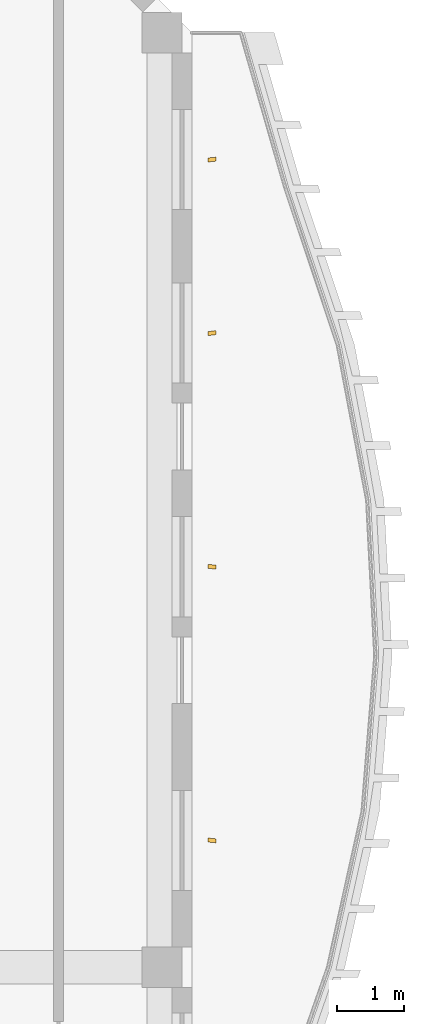
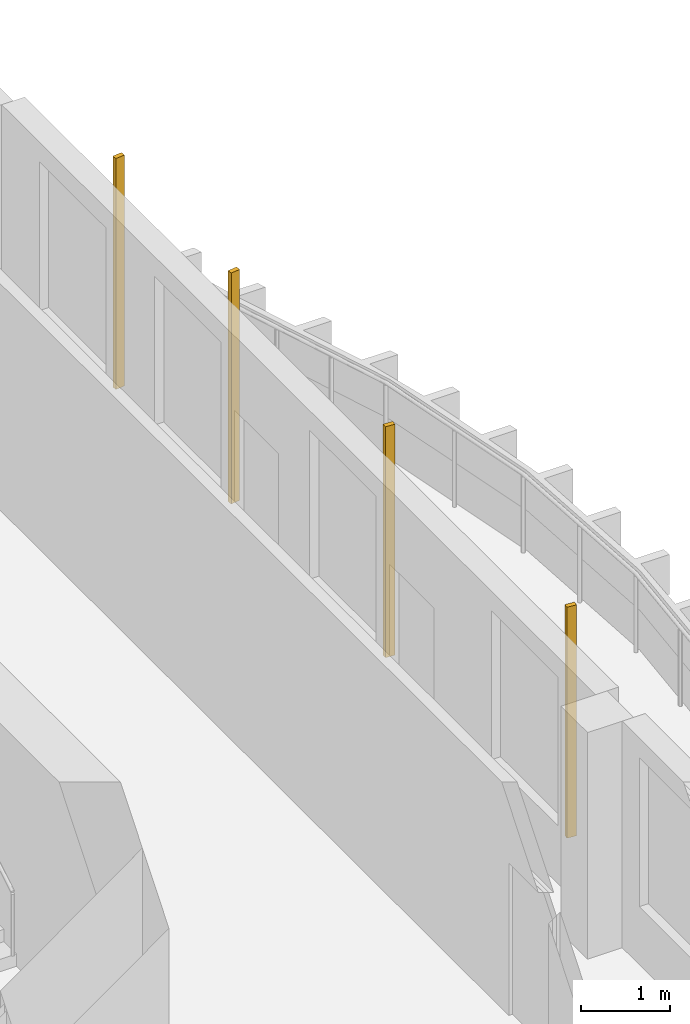
# One storey, part 17 of 17: 4 shading devices.
"""IFC4 building model written with IfcOpenShell, lengths in metres."""

import ifcopenshell
import ifcopenshell.guid

model = None  # the IFC model being written
_history = None  # IfcOwnerHistory: only IFC2X3 demands one
_inside = {}  # id of a spatial element -> (the spatial element, [elements in it])
_under = {}  # id of a project, library or spatial element -> (it, [spatial elements below it])
_declared = {}  # id of a project -> (the project, [libraries it declares])
_typed = {}  # id of a type object -> (the type object, [elements of that type])
_made_of = {}  # id of a material, layer set ... -> (it, [elements and type objects made of it])


def new_model(schema):
    """Start an empty IFC model of exactly this schema.

    Asked for "IFC4X3", IfcOpenShell would pick the latest addendum, in which some entities
    have other attributes; the version numbers below select the first issue.
    IFC2X3 requires an IfcOwnerHistory on every rooted entity: one is made here for all.
    """
    global model, _history
    if schema == "IFC4X3":
        model = ifcopenshell.file(schema_version=(4, 3, 0, 0))
    else:
        model = ifcopenshell.file(schema=schema)
    _inside.clear()
    _under.clear()
    _declared.clear()
    _typed.clear()
    _made_of.clear()
    _history = None
    if model.schema == "IFC2X3":
        org = make("IfcOrganization", Name="unknown")
        user = make(
            "IfcPersonAndOrganization",
            ThePerson=make("IfcPerson", FamilyName="unknown"),
            TheOrganization=org,
        )
        app = make(
            "IfcApplication",
            ApplicationDeveloper=org,
            Version="unknown",
            ApplicationFullName="unknown",
            ApplicationIdentifier="unknown",
        )
        _history = make(
            "IfcOwnerHistory",
            OwningUser=user,
            OwningApplication=app,
            ChangeAction="ADDED",
            CreationDate=0,
        )
    return model


def make(cls, **values):
    """One entity of the class cls with the attributes given. An attribute that is None is left unset."""
    return model.create_entity(
        cls, **{name: value for name, value in values.items() if value is not None}
    )


def rooted(cls, **values):
    """An entity with a GlobalId (a new one), such as an element, a storey or a relation."""
    return make(cls, GlobalId=ifcopenshell.guid.new(), OwnerHistory=_history, **values)


def si_unit(unit_type, name, prefix=None):
    """IfcSIUnit, for example si_unit("LENGTHUNIT", "METRE", prefix="MILLI")."""
    return make("IfcSIUnit", UnitType=unit_type, Prefix=prefix, Name=name)


def assignment(units):
    """IfcUnitAssignment: the units of a project."""
    return None if units is None else make("IfcUnitAssignment", Units=units)


def point(xyz):
    """IfcCartesianPoint."""
    return None if xyz is None else make("IfcCartesianPoint", Coordinates=xyz)


def direction(xyz):
    """IfcDirection."""
    return None if xyz is None else make("IfcDirection", DirectionRatios=xyz)


def frame(location, z_axis=None, x_axis=None):
    """IfcAxis2Placement3D, a coordinate frame: its origin and axes. An axis left out is left unset."""
    return make(
        "IfcAxis2Placement3D",
        Location=point(location),
        Axis=direction(z_axis),
        RefDirection=direction(x_axis),
    )


def frame_2d(location, x_axis=None):
    """IfcAxis2Placement2D, a coordinate frame in the plane: its origin and x axis."""
    return make(
        "IfcAxis2Placement2D", Location=point(location), RefDirection=direction(x_axis)
    )


def origin():
    """The frame at (0, 0, 0) with its axes left unset."""
    return frame((0.0, 0.0, 0.0))


def origin_2d():
    """The frame at (0, 0) in the plane with its x axis left unset."""
    return frame_2d((0.0, 0.0))


def place(relative_to, where):
    """IfcLocalPlacement: puts the frame where relative to a parent placement (None: the world)."""
    return make(
        "IfcLocalPlacement", PlacementRelTo=relative_to, RelativePlacement=where
    )


def context(
    kind, dimensions, precision=None, world=None, true_north=None, identifier=None
):
    """IfcGeometricRepresentationContext, for example the 3D "Model" context."""
    return make(
        "IfcGeometricRepresentationContext",
        ContextIdentifier=identifier,
        ContextType=kind,
        CoordinateSpaceDimension=dimensions,
        Precision=precision,
        WorldCoordinateSystem=world,
        TrueNorth=true_north,
    )


def subcontext(parent, identifier, kind, view, scale=None):
    """IfcGeometricRepresentationSubContext, for example "Body" below "Model"."""
    return make(
        "IfcGeometricRepresentationSubContext",
        ContextIdentifier=identifier,
        ContextType=kind,
        ParentContext=parent,
        TargetScale=scale,
        TargetView=view,
    )


def project(units=None, contexts=None):
    """IfcProject with its units and contexts."""
    return rooted(
        "IfcProject",
        Name="project",
        RepresentationContexts=contexts,
        UnitsInContext=assignment(units),
    )


def spatial(cls, under=None, at=None, **own):
    """A site, building, storey or space (cls), placed at a placement, below another one or the project."""
    s = rooted(cls, ObjectPlacement=at, **own)
    if under is not None:
        _under.setdefault(under.id(), (under, []))[1].append(s)
    return s


def profile(cls, at=None, kind="AREA", **sizes):
    """A parametric profile (cls). Its sizes go by their IFC names, for example OverallWidth=200.0."""
    return make(cls, ProfileType=kind, Position=at, **sizes)


def rectangle(**sizes):
    """IfcRectangleProfileDef."""
    return profile("IfcRectangleProfileDef", **sizes)


def extrude(swept, where, along, depth):
    """IfcExtrudedAreaSolid: the profile swept, set in the frame where, extruded along a direction by depth."""
    return make(
        "IfcExtrudedAreaSolid",
        SweptArea=swept,
        Position=where,
        ExtrudedDirection=direction(along),
        Depth=depth,
    )


def shape(context_of_items, identifier, shape_type, items):
    """IfcShapeRepresentation: the items that make up one representation, for example the "Body"."""
    return make(
        "IfcShapeRepresentation",
        ContextOfItems=context_of_items,
        RepresentationIdentifier=identifier,
        RepresentationType=shape_type,
        Items=items,
    )


def source(mapping_origin, context_of_items, identifier, shape_type, items):
    """IfcRepresentationMap: a shape defined once, which mapped items show again and again."""
    return make(
        "IfcRepresentationMap",
        MappingOrigin=mapping_origin,
        MappedRepresentation=shape(context_of_items, identifier, shape_type, items),
    )


def transform(
    local_origin,
    x_axis=None,
    y_axis=None,
    z_axis=None,
    scale=None,
    scale2=None,
    scale3=None,
    uniform=True,
):
    """IfcCartesianTransformationOperator3D, or its non-uniform kind. x_axis, y_axis, z_axis: its Axis1, 2, 3."""
    if uniform:
        return make(
            "IfcCartesianTransformationOperator3D",
            Axis1=direction(x_axis),
            Axis2=direction(y_axis),
            LocalOrigin=point(local_origin),
            Scale=scale,
            Axis3=direction(z_axis),
        )
    return make(
        "IfcCartesianTransformationOperator3DnonUniform",
        Axis1=direction(x_axis),
        Axis2=direction(y_axis),
        LocalOrigin=point(local_origin),
        Scale=scale,
        Axis3=direction(z_axis),
        Scale2=scale2,
        Scale3=scale3,
    )


def mapped(mapping_source, mapping_target):
    """IfcMappedItem: shows the shape of a source again, moved by a transform."""
    return make(
        "IfcMappedItem", MappingSource=mapping_source, MappingTarget=mapping_target
    )


def material(Name=None, Category=None):
    """IfcMaterial."""
    return make("IfcMaterial", Name=Name, Category=Category)


def material_profile(
    of_material, cross_section, Name=None, Category=None, Priority=None
):
    """IfcMaterialProfile: a cross section and its material."""
    return make(
        "IfcMaterialProfile",
        Name=Name,
        Material=of_material,
        Profile=cross_section,
        Priority=Priority,
        Category=Category,
    )


def profile_set(profiles, Name=None, composite=None):
    """IfcMaterialProfileSet."""
    return make(
        "IfcMaterialProfileSet",
        Name=Name,
        MaterialProfiles=profiles,
        CompositeProfile=composite,
    )


def made_of(thing, what):
    """Note that an element or type object is made of a material, layer set ...; save() writes the relation."""
    if what is not None:
        _made_of.setdefault(what.id(), (what, []))[1].append(thing)
    return thing


def type_object(cls, material=None, **own):
    """A type object (cls), such as IfcWallType, which elements share."""
    return made_of(rooted(cls, **own), material)


def element(
    cls,
    number,
    at=None,
    inside=None,
    cuts=None,
    type_object=None,
    material=None,
    context=None,
    identifier="Body",
    shape_type=None,
    held_by="IfcProductDefinitionShape",
    body=None,
    shapes=None,
    **own,
):
    """One element of the class cls, such as IfcWall. Its Tag is "e" and its number.

    at: its placement. inside: the storey or other place that contains it. cuts: it is an
    opening in that element (IfcRelVoidsElement). A single representation is given by context,
    identifier, shape_type and body (its items); several are given by shapes. held_by: the class
    of the entity that holds the representations. save() writes the other relations.
    """
    e = rooted(cls, Tag="e%d" % number, ObjectPlacement=at, **own)
    if body is not None:
        shapes = [shape(context, identifier, shape_type, body)]
    if shapes is not None:
        e.Representation = make(held_by, Representations=shapes)
    if inside is not None:
        _inside.setdefault(inside.id(), (inside, []))[1].append(e)
    if cuts is not None:
        rooted(
            "IfcRelVoidsElement", RelatingBuildingElement=cuts, RelatedOpeningElement=e
        )
    if type_object is not None:
        _typed.setdefault(type_object.id(), (type_object, []))[1].append(e)
    return made_of(e, material)


def aggregate(whole, parts):
    """IfcRelAggregates: a whole, such as a stair, and the parts it consists of."""
    return rooted("IfcRelAggregates", RelatingObject=whole, RelatedObjects=parts)


def save(model, path):
    """Write the relations noted so far, then the file.

    IfcRelAggregates (storeys below a building ...), IfcRelContainedInSpatialStructure (elements
    in a storey), IfcRelDefinesByType, IfcRelAssociatesMaterial and IfcRelDeclares: one each for
    every whole, place, type object, material and project.
    """
    for whole, parts in _under.values():
        aggregate(whole, parts)
    for where, things in _inside.values():
        rooted(
            "IfcRelContainedInSpatialStructure",
            RelatedElements=things,
            RelatingStructure=where,
        )
    for kind, things in _typed.values():
        rooted("IfcRelDefinesByType", RelatedObjects=things, RelatingType=kind)
    for what, things in _made_of.values():
        rooted("IfcRelAssociatesMaterial", RelatedObjects=things, RelatingMaterial=what)
    for by, libraries in _declared.values():
        rooted("IfcRelDeclares", RelatingContext=by, RelatedDefinitions=libraries)
    model.write(path)


model = new_model("IFC4")

# Units and contexts
model_context = context("Model", 3, precision=1e-05, world=origin(), true_north=direction((0.0, 1.0)))
body_context = subcontext(model_context, "Body", "Model", "MODEL_VIEW")
ifc_project = project(units=[si_unit("LENGTHUNIT", "METRE"), si_unit("AREAUNIT", "SQUARE_METRE"), si_unit("VOLUMEUNIT", "CUBIC_METRE"), si_unit("PLANEANGLEUNIT", "RADIAN"), si_unit("MASSUNIT", "GRAM", prefix="KILO")], contexts=[model_context])

# Site, building, storey
site_placement = place(None, origin())
site = spatial("IfcSite", under=ifc_project, at=site_placement, CompositionType="ELEMENT")
building_placement = place(site_placement, origin())
building = spatial("IfcBuilding", under=site, at=building_placement, Name="Kilnfold Tower and Market Hall", CompositionType="ELEMENT")
storey_placement = place(building_placement, frame((0.0, 0.0, 298.39990234375)))
storey = spatial("IfcBuildingStorey", under=building, at=storey_placement, Name="L74", CompositionType="ELEMENT", Elevation=298.39990234375)

# Shading devices
ifc_material = material(Name="Terracotta", Category="masonry")
ifc_material_profile = material_profile(ifc_material, rectangle(XDim=0.06005859375, YDim=0.1201171875, at=origin_2d()), Name="BAG 60x120")
ifc_profile_set = profile_set([ifc_material_profile], Name="Terracotta")
shading_device_type = type_object("IfcShadingDeviceType", Name="BAGUETTE", PredefinedType="USERDEFINED", material=ifc_profile_set)
shared_shape = source(origin(), body_context, "Body", "SweptSolid", [
    extrude(rectangle(XDim=0.06005859375, YDim=0.1201171875, at=origin_2d()), origin(), (0.0, 0.0, 1.0), 3.18017578125),
])
for number, where, z_axis, x_axis, name in (
    (1, (23.800048828125, 9.89990234375, 0.0), (0.0, 0.0, 1.0), (0.105842348146, 0.994382922892, 0.0), "Terracotta baguette L74 E"),
    (2, (23.800048828125, 14.0, 0.0), (0.0, 0.0, 1.0), (0.059316827116, 0.998239206814, 0.0), "Terracotta baguette L74 E"),
    (3, (23.800048828125, 17.5, 0.0), (0.0, 0.0, 1.0), (-0.126048338034, 0.992024100755, 0.0), "Terracotta baguette L74 E"),
    (4, (23.800048828125, 20.10009765625, 0.0), (0.0, 0.0, 1.0), (-0.104058058423, 0.994571224437, 0.0), "Terracotta baguette L74 E"),
):
    element("IfcShadingDevice", number, at=place(storey_placement, frame(where, z_axis=z_axis, x_axis=x_axis)), inside=storey, type_object=shading_device_type, Name=name, ObjectType="BAGUETTE", PredefinedType="USERDEFINED", context=body_context, shape_type="MappedRepresentation", body=[
        mapped(shared_shape, transform((0.0, 0.0, 0.0))),
    ])

save(model, "model.ifc")
